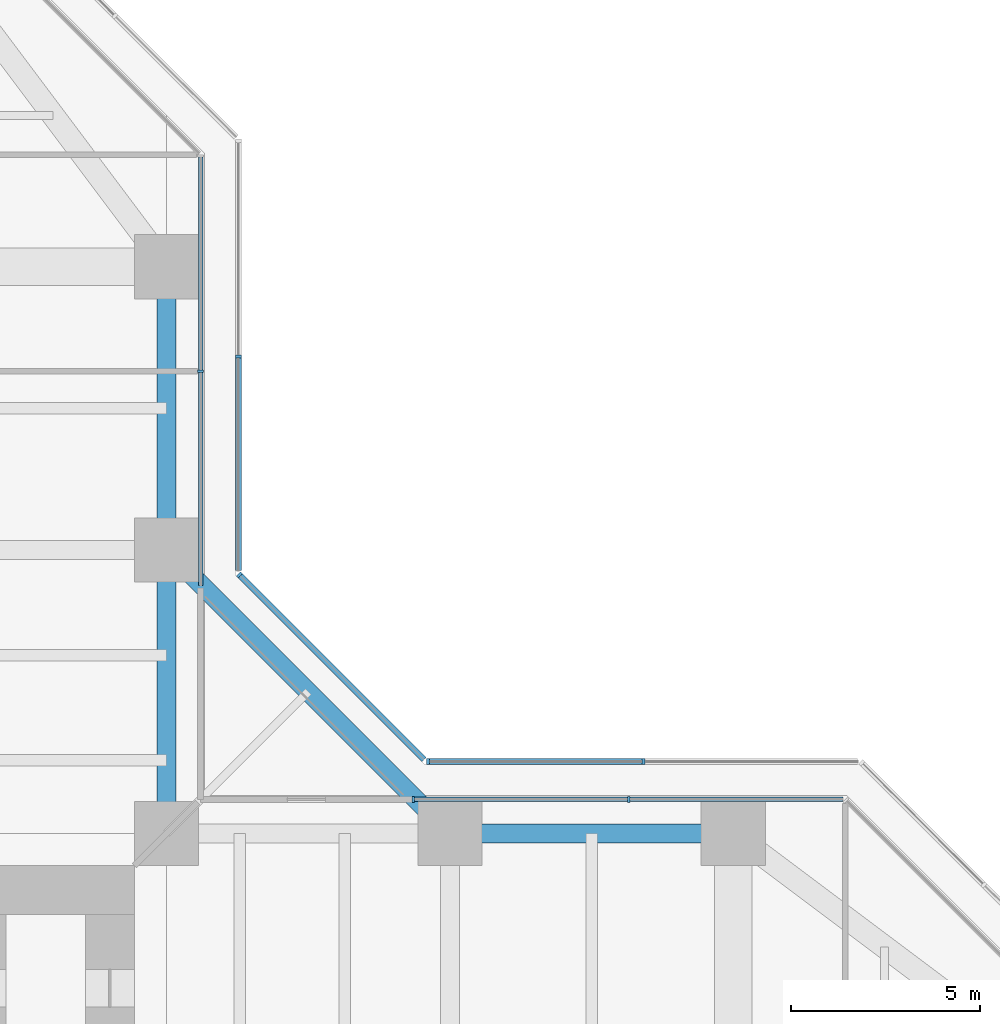
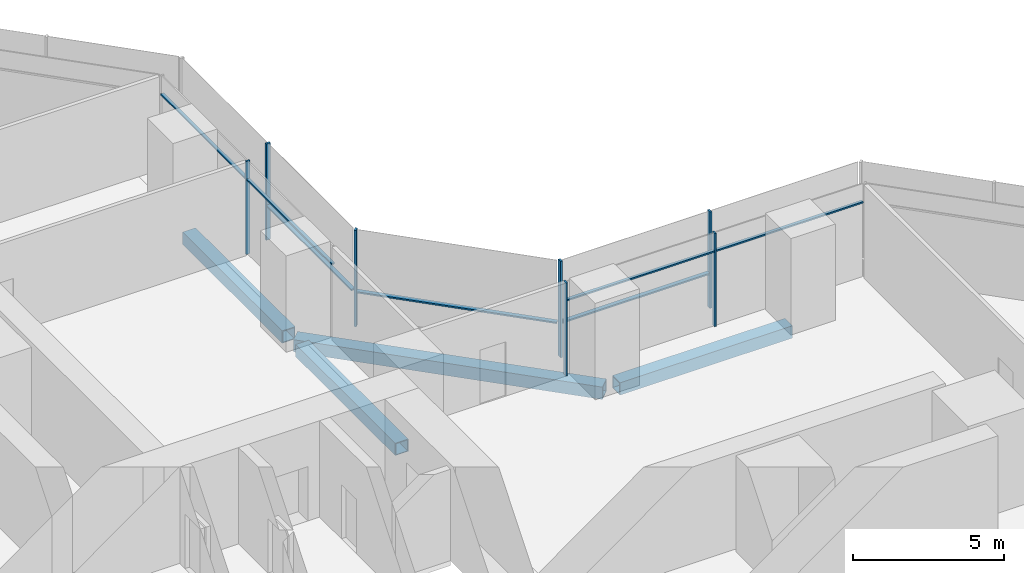
# One storey, part 11 of 22: 14 members, 4 beams, 5 elements without a shape of their own.
"""IFC4 building model written with IfcOpenShell, lengths in metres."""

from ifc_helpers import new_model, si_unit, direction, frame, origin, origin_2d, place, context, subcontext, project, spatial, rectangle, hollow_rectangle, extrude, material, material_profile, profile_set, type_object, element, aggregate, save


model = new_model("IFC4")

# Units and contexts
model_context = context("Model", 3, precision=1e-05, world=origin(), true_north=direction((0.0, 1.0)))
body_context = subcontext(model_context, "Body", "Model", "MODEL_VIEW")
ifc_project = project(units=[si_unit("LENGTHUNIT", "METRE"), si_unit("AREAUNIT", "SQUARE_METRE"), si_unit("VOLUMEUNIT", "CUBIC_METRE"), si_unit("PLANEANGLEUNIT", "RADIAN"), si_unit("MASSUNIT", "GRAM", prefix="KILO")], contexts=[model_context])

# Site, building, storey
site_placement = place(None, origin())
site = spatial("IfcSite", under=ifc_project, at=site_placement, CompositionType="ELEMENT")
building_placement = place(site_placement, origin())
building = spatial("IfcBuilding", under=site, at=building_placement, Name="Mizan Broadcast Tower", CompositionType="ELEMENT")
storey_placement = place(building_placement, frame((0.0, 0.0, 47.39990234375)))
storey = spatial("IfcBuildingStorey", under=building, at=storey_placement, Name="L08", CompositionType="ELEMENT", Elevation=47.39990234375)

# Beams
ifc_material_1 = material(Name="Steel S355", Category="steel")
ifc_material_profile_1 = material_profile(ifc_material_1, hollow_rectangle(XDim=0.5, YDim=0.5, WallThickness=0.030029296875, at=origin_2d()), Name="BOX 500x500x30")
ifc_profile_set_1 = profile_set([ifc_material_profile_1], Name="Steel S355")
beam_type = type_object("IfcBeamType", Name="EDGE BEAM BOX 500x500x30", PredefinedType="SPANDREL", material=ifc_profile_set_1)
for number, where, z_axis, x_axis, name in (
    (1, (19.949951171875, 12.0, -0.3798828125), (1.0, 0.0, 0.0), (0.0, 1.0, 0.0), "Edge beam BOX 500x500x30 L08 east arm"),
    (2, (12.0, 12.449951171875, -0.3798828125), (0.0, 1.0, 0.0), (-1.0, 0.0, 0.0), "Edge beam BOX 500x500x30 L08 north arm"),
    (3, (12.0, 19.949951171875, -0.3798828125), (0.0, 1.0, 0.0), (-1.0, 0.0, 0.0), "Edge beam BOX 500x500x30 L08 north arm"),
):
    element("IfcBeam", number, at=place(storey_placement, frame(where, z_axis=z_axis, x_axis=x_axis)), inside=storey, type_object=beam_type, Name=name, PredefinedType="SPANDREL", context=body_context, shape_type="SweptSolid", body=[
        extrude(hollow_rectangle(XDim=0.5, YDim=0.5, WallThickness=0.030029296875, at=origin_2d()), origin(), (0.0, 0.0, 1.0), 6.60009765625),
    ])
beam_placement = place(storey_placement, frame((19.5, 12.0, -0.3798828125), z_axis=(-0.707106781187, 0.707106781187, 0.0), x_axis=(-0.707106781187, -0.707106781187, 0.0)))
element("IfcBeam", 4, at=beam_placement, inside=storey, type_object=beam_type, Name="Winter garden edge beam L08 E", PredefinedType="SPANDREL", context=body_context, shape_type="SweptSolid", body=[
    extrude(hollow_rectangle(XDim=0.5, YDim=0.5, WallThickness=0.030029296875, at=origin_2d()), origin(), (0.0, 0.0, 1.0), 10.606689453125),
])

# Curtain wall, members
ifc_material_2 = material(Name="Aluminium framed glazing", Category="aluminium")
curtain_wall_type_1 = type_object("IfcCurtainWallType", Name="INNER SKIN LOW ZONE", PredefinedType="USERDEFINED", material=ifc_material_2)
curtain_wall_1_placement = place(storey_placement, origin())
curtain_wall_1 = element("IfcCurtainWall", 5, at=curtain_wall_1_placement, inside=storey, type_object=curtain_wall_type_1, Name="Inner skin low zone L08 E side", ObjectType="INNER SKIN LOW ZONE", PredefinedType="USERDEFINED")
ifc_material_3 = material(Name="Aluminium, pale anodised", Category="aluminium")
ifc_material_profile_2 = material_profile(ifc_material_3, rectangle(XDim=0.159912109375, YDim=0.06005859375, at=origin_2d()), Name="MULLION 160x60")
ifc_profile_set_2 = profile_set([ifc_material_profile_2], Name="Aluminium, pale anodised")
member_type_1 = type_object("IfcMemberType", Name="INNER SKIN MULLION 60x160", PredefinedType="MULLION", material=ifc_profile_set_2)
member_1_placement = place(storey_placement, frame((24.229248046875, 12.89990234375, 0.0), z_axis=(0.0, 0.0, 1.0), x_axis=(0.0, -1.0, 0.0)))
member_1 = element("IfcMember", 6, at=member_1_placement, type_object=member_type_1, Name="Inner skin low zone L08 E side mullion 2", PredefinedType="MULLION", context=body_context, shape_type="SweptSolid", body=[
    extrude(rectangle(XDim=0.159912109375, YDim=0.06005859375, at=origin_2d()), origin(), (0.0, 0.0, 1.0), 3.77001953125),
])
member_2_placement = place(storey_placement, frame((18.530029296875, 12.89990234375, 0.0), z_axis=(0.0, 0.0, 1.0), x_axis=(0.0, -1.0, 0.0)))
member_2 = element("IfcMember", 7, at=member_2_placement, type_object=member_type_1, Name="Inner skin low zone L08 E side mullion 3", PredefinedType="MULLION", context=body_context, shape_type="SweptSolid", body=[
    extrude(rectangle(XDim=0.159912109375, YDim=0.06005859375, at=origin_2d()), origin(), (0.0, 0.0, 1.0), 3.77001953125),
])

# Curtain wall, member
curtain_wall_2_placement = place(storey_placement, origin())
curtain_wall_2 = element("IfcCurtainWall", 8, at=curtain_wall_2_placement, inside=storey, type_object=curtain_wall_type_1, Name="Inner skin low zone L08 N side", ObjectType="INNER SKIN LOW ZONE", PredefinedType="USERDEFINED")
member_3_placement = place(storey_placement, frame((12.89990234375, 24.229248046875, 0.0), z_axis=(0.0, 0.0, 1.0), x_axis=(-1.0, 0.0, 0.0)))
member_3 = element("IfcMember", 9, at=member_3_placement, type_object=member_type_1, Name="Inner skin low zone L08 N side mullion 2", PredefinedType="MULLION", context=body_context, shape_type="SweptSolid", body=[
    extrude(rectangle(XDim=0.159912109375, YDim=0.06005859375, at=origin_2d()), origin(), (0.0, 0.0, 1.0), 3.77001953125),
])

# Member
ifc_material_4 = material(Name="Aluminium, pale anodised", Category="aluminium")
ifc_material_profile_3 = material_profile(ifc_material_4, rectangle(XDim=0.1201171875, YDim=0.06005859375, at=origin_2d()), Name="TRANSOM 120x60")
ifc_profile_set_3 = profile_set([ifc_material_profile_3], Name="Aluminium, pale anodised")
member_type_2 = type_object("IfcMemberType", Name="INNER SKIN TRANSOM 60x120", PredefinedType="USERDEFINED", material=ifc_profile_set_3)
member_4_placement = place(storey_placement, frame((29.898681640625, 12.89990234375, 3.030029296875), z_axis=(-1.0, 0.0, 0.0), x_axis=(0.0, -1.0, 0.0)))
member_4 = element("IfcMember", 10, at=member_4_placement, type_object=member_type_2, Name="Inner skin low zone L08 E side transom 1.1", ObjectType="TRANSOM", PredefinedType="USERDEFINED", context=body_context, shape_type="SweptSolid", body=[
    extrude(rectangle(XDim=0.1201171875, YDim=0.06005859375, at=origin_2d()), origin(), (0.0, 0.0, 1.0), 5.639404296875),
])

member_5_placement = place(storey_placement, frame((24.19921875, 12.89990234375, 3.030029296875), z_axis=(-1.0, 0.0, 0.0), x_axis=(0.0, -1.0, 0.0)))
member_5 = element("IfcMember", 11, at=member_5_placement, type_object=member_type_2, Name="Inner skin low zone L08 E side transom 2.1", ObjectType="TRANSOM", PredefinedType="USERDEFINED", context=body_context, shape_type="SweptSolid", body=[
    extrude(rectangle(XDim=0.1201171875, YDim=0.06005859375, at=origin_2d()), origin(), (0.0, 0.0, 1.0), 5.63916015625),
])

aggregate(curtain_wall_1, [member_1, member_2, member_4, member_5])

member_6_placement = place(storey_placement, frame((12.89990234375, 18.56005859375, 3.030029296875), z_axis=(0.0, 1.0, 0.0), x_axis=(-1.0, 0.0, 0.0)))
member_6 = element("IfcMember", 12, at=member_6_placement, type_object=member_type_2, Name="Inner skin low zone L08 N side transom 1.1", ObjectType="TRANSOM", PredefinedType="USERDEFINED", context=body_context, shape_type="SweptSolid", body=[
    extrude(rectangle(XDim=0.1201171875, YDim=0.06005859375, at=origin_2d()), origin(), (0.0, 0.0, 1.0), 5.63916015625),
])

member_7_placement = place(storey_placement, frame((12.89990234375, 24.25927734375, 3.030029296875), z_axis=(0.0, 1.0, 0.0), x_axis=(-1.0, 0.0, 0.0)))
member_7 = element("IfcMember", 13, at=member_7_placement, type_object=member_type_2, Name="Inner skin low zone L08 N side transom 2.1", ObjectType="TRANSOM", PredefinedType="USERDEFINED", context=body_context, shape_type="SweptSolid", body=[
    extrude(rectangle(XDim=0.1201171875, YDim=0.06005859375, at=origin_2d()), origin(), (0.0, 0.0, 1.0), 5.639404296875),
])

aggregate(curtain_wall_2, [member_3, member_6, member_7])

# Curtain wall, members
ifc_material_5 = material(Name="Aluminium framed glazing", Category="aluminium")
curtain_wall_type_2 = type_object("IfcCurtainWallType", Name="OUTER SKIN", PredefinedType="USERDEFINED", material=ifc_material_5)
curtain_wall_3_placement = place(storey_placement, origin())
curtain_wall_3 = element("IfcCurtainWall", 14, at=curtain_wall_3_placement, inside=storey, type_object=curtain_wall_type_2, Name="Outer skin L08 E side", ObjectType="OUTER SKIN", PredefinedType="USERDEFINED")
ifc_material_6 = material(Name="Aluminium, pale anodised", Category="aluminium")
ifc_material_profile_4 = material_profile(ifc_material_6, rectangle(XDim=0.159912109375, YDim=0.080078125, at=origin_2d()), Name="MULLION 160x80")
ifc_profile_set_4 = profile_set([ifc_material_profile_4], Name="Aluminium, pale anodised")
member_type_3 = type_object("IfcMemberType", Name="OUTER SKIN MULLION 80x160", PredefinedType="MULLION", material=ifc_profile_set_4)
member_8_placement = place(storey_placement, frame((24.622802734375, 13.89990234375, 0.0), z_axis=(0.0, 0.0, 1.0), x_axis=(0.0, -1.0, 0.0)))
member_8 = element("IfcMember", 15, at=member_8_placement, type_object=member_type_3, Name="Outer skin L08 E side mullion 2", PredefinedType="MULLION", context=body_context, shape_type="SweptSolid", body=[
    extrude(rectangle(XDim=0.159912109375, YDim=0.080078125, at=origin_2d()), origin(), (0.0, 0.0, 1.0), 3.900146484375),
])
member_9_placement = place(storey_placement, frame((18.912841796875, 13.89990234375, 0.0), z_axis=(0.0, 0.0, 1.0), x_axis=(0.0, -1.0, 0.0)))
member_9 = element("IfcMember", 16, at=member_9_placement, type_object=member_type_3, Name="Outer skin L08 E side mullion 3", PredefinedType="MULLION", context=body_context, shape_type="SweptSolid", body=[
    extrude(rectangle(XDim=0.159912109375, YDim=0.080078125, at=origin_2d()), origin(), (0.0, 0.0, 1.0), 3.900146484375),
])

# Curtain wall, member
curtain_wall_4_placement = place(storey_placement, origin())
curtain_wall_4 = element("IfcCurtainWall", 17, at=curtain_wall_4_placement, inside=storey, type_object=curtain_wall_type_2, Name="Outer skin L08 E chamfer", ObjectType="OUTER SKIN", PredefinedType="USERDEFINED")
member_10_placement = place(storey_placement, frame((13.92822265625, 18.844482421875, 0.0), z_axis=(0.0, 0.0, 1.0), x_axis=(-0.707106781187, -0.707106781187, 0.0)))
member_10 = element("IfcMember", 18, at=member_10_placement, type_object=member_type_3, Name="Outer skin L08 E chamfer mullion 2", PredefinedType="MULLION", context=body_context, shape_type="SweptSolid", body=[
    extrude(rectangle(XDim=0.159912109375, YDim=0.080078125, at=origin_2d()), origin(), (0.0, 0.0, 1.0), 3.900146484375),
])

curtain_wall_5_placement = place(storey_placement, origin())
curtain_wall_5 = element("IfcCurtainWall", 19, at=curtain_wall_5_placement, inside=storey, type_object=curtain_wall_type_2, Name="Outer skin L08 N side", ObjectType="OUTER SKIN", PredefinedType="USERDEFINED")
member_11_placement = place(storey_placement, frame((13.89990234375, 24.622802734375, 0.0), z_axis=(0.0, 0.0, 1.0), x_axis=(-1.0, 0.0, 0.0)))
member_11 = element("IfcMember", 20, at=member_11_placement, type_object=member_type_3, Name="Outer skin L08 N side mullion 2", PredefinedType="MULLION", context=body_context, shape_type="SweptSolid", body=[
    extrude(rectangle(XDim=0.159912109375, YDim=0.080078125, at=origin_2d()), origin(), (0.0, 0.0, 1.0), 3.900146484375),
])

# Member
ifc_material_7 = material(Name="Aluminium, pale anodised", Category="aluminium")
ifc_material_profile_5 = material_profile(ifc_material_7, rectangle(XDim=0.159912109375, YDim=0.06005859375, at=origin_2d()), Name="TRANSOM 160x60")
ifc_profile_set_5 = profile_set([ifc_material_profile_5], Name="Aluminium, pale anodised")
member_type_4 = type_object("IfcMemberType", Name="OUTER SKIN TRANSOM 60x160", PredefinedType="USERDEFINED", material=ifc_profile_set_5)
member_12_placement = place(storey_placement, frame((24.582763671875, 13.89990234375, 1.400146484375), z_axis=(-1.0, 0.0, 0.0), x_axis=(0.0, -1.0, 0.0)))
member_12 = element("IfcMember", 21, at=member_12_placement, type_object=member_type_4, Name="Outer skin L08 E side transom 2.1", ObjectType="TRANSOM", PredefinedType="USERDEFINED", context=body_context, shape_type="SweptSolid", body=[
    extrude(rectangle(XDim=0.159912109375, YDim=0.06005859375, at=origin_2d()), origin(), (0.0, 0.0, 1.0), 5.6298828125),
])

aggregate(curtain_wall_3, [member_8, member_9, member_12])

member_13_placement = place(storey_placement, frame((18.816162109375, 13.95654296875, 1.400146484375), z_axis=(-0.707106781187, 0.707106781187, 0.0), x_axis=(-0.707106781187, -0.707106781187, 0.0)))
member_13 = element("IfcMember", 22, at=member_13_placement, type_object=member_type_4, Name="Outer skin L08 E chamfer transom 1.1", ObjectType="TRANSOM", PredefinedType="USERDEFINED", context=body_context, shape_type="SweptSolid", body=[
    extrude(rectangle(XDim=0.159912109375, YDim=0.06005859375, at=origin_2d()), origin(), (0.0, 0.0, 1.0), 6.87255859375),
])

aggregate(curtain_wall_4, [member_10, member_13])

member_14_placement = place(storey_placement, frame((13.89990234375, 18.952880859375, 1.400146484375), z_axis=(0.0, 1.0, 0.0), x_axis=(-1.0, 0.0, 0.0)))
member_14 = element("IfcMember", 23, at=member_14_placement, type_object=member_type_4, Name="Outer skin L08 N side transom 1.1", ObjectType="TRANSOM", PredefinedType="USERDEFINED", context=body_context, shape_type="SweptSolid", body=[
    extrude(rectangle(XDim=0.159912109375, YDim=0.06005859375, at=origin_2d()), origin(), (0.0, 0.0, 1.0), 5.6298828125),
])

aggregate(curtain_wall_5, [member_11, member_14])

save(model, "model.ifc")
